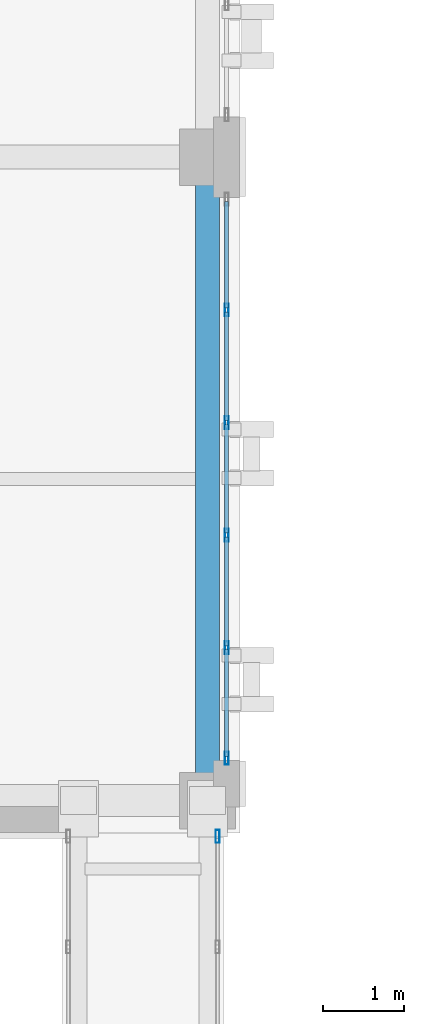
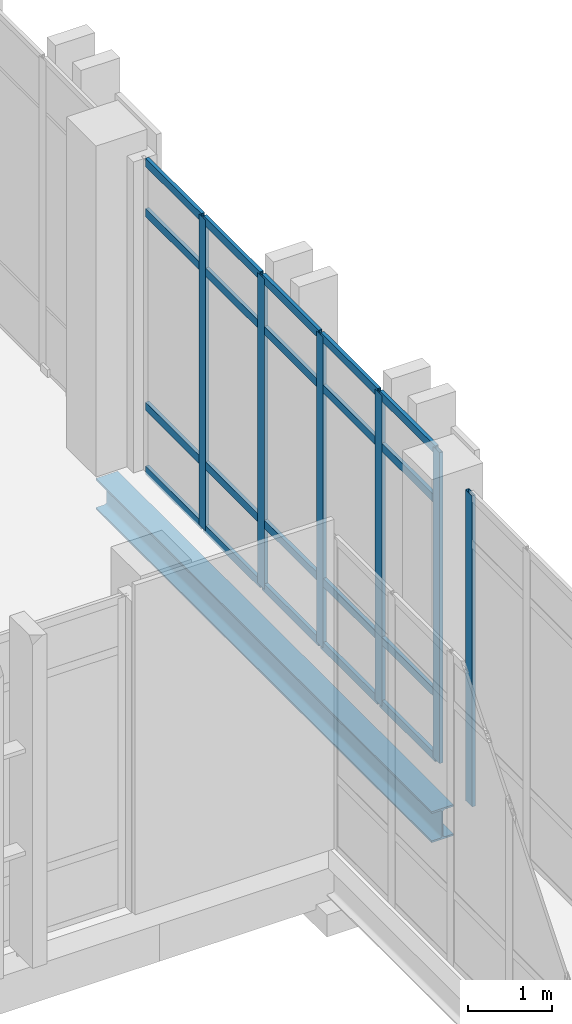
# One storey, part 22 of 189: 26 members, 1 beam, 2 elements without a shape of their own.
"""IFC4 building model written with IfcOpenShell, lengths in metres."""

from ifc_helpers import new_model, si_unit, direction, frame, origin, origin_2d, place, context, subcontext, project, spatial, hollow_rectangle, i_section, extrude, material, layer, layer_set, material_profile, profile_set, type_object, element, aggregate, save


model = new_model("IFC4")

# Units and contexts
model_context = context("Model", 3, precision=1e-05, world=origin(), true_north=direction((0.0, 1.0)))
body_context = subcontext(model_context, "Body", "Model", "MODEL_VIEW")
ifc_project = project(units=[si_unit("LENGTHUNIT", "METRE"), si_unit("AREAUNIT", "SQUARE_METRE"), si_unit("VOLUMEUNIT", "CUBIC_METRE"), si_unit("PLANEANGLEUNIT", "RADIAN"), si_unit("MASSUNIT", "GRAM", prefix="KILO")], contexts=[model_context])

# Site, building, storey
site_placement = place(None, origin())
site = spatial("IfcSite", under=ifc_project, at=site_placement, CompositionType="ELEMENT")
building_placement = place(site_placement, origin())
building = spatial("IfcBuilding", under=site, at=building_placement, Name="Qalavern Law Courts", CompositionType="ELEMENT")
storey_placement = place(building_placement, frame((0.0, 0.0, 5.39990234375)))
storey = spatial("IfcBuildingStorey", under=building, at=storey_placement, Name="L01", CompositionType="ELEMENT", Elevation=5.39990234375)

# Curtain wall, members
ifc_material_1 = material(Name="Anodised aluminium and insulated glazing", Category="aluminium")
ifc_layer_1 = layer(ifc_material_1, 0.172119140625)
ifc_layer_set_1 = layer_set([ifc_layer_1], Name="Anodised aluminium and insulated glazing")
curtain_wall_type_1 = type_object("IfcCurtainWallType", Name="ENV-CW-COURT", PredefinedType="USERDEFINED", material=ifc_layer_set_1)
curtain_wall_1_placement = place(storey_placement, origin())
curtain_wall_1 = element("IfcCurtainWall", 1, at=curtain_wall_1_placement, inside=storey, type_object=curtain_wall_type_1, Name="V3 unitised curtain wall L01 east 1", ObjectType="UNITISED CURTAIN WALL", PredefinedType="USERDEFINED")
ifc_material_2 = material(Name="Anodised aluminium", Category="aluminium")
ifc_material_profile_1 = material_profile(ifc_material_2, hollow_rectangle(XDim=0.048095703125, YDim=0.159912109375, WallThickness=0.00390625, at=origin_2d()), Name="ALU MULLION 48x160")
ifc_profile_set_1 = profile_set([ifc_material_profile_1], Name="Anodised aluminium")
member_type_1 = type_object("IfcMemberType", Name="ENV-CWM-48x160", PredefinedType="MULLION", material=ifc_profile_set_1)
member_1_placement = place(storey_placement, frame((18.637451171875, 41.944091796875, 0.0), z_axis=(0.0, 0.0, 1.0), x_axis=(-1.0, 0.0, 0.0)))
member_1 = element("IfcMember", 2, at=member_1_placement, type_object=member_type_1, Name="CW-03 mullion 1", PredefinedType="MULLION", context=body_context, shape_type="SweptSolid", body=[
    extrude(hollow_rectangle(XDim=0.048095703125, YDim=0.159912109375, WallThickness=0.00390625, at=origin_2d()), origin(), (0.0, 0.0, 1.0), 4.510009765625),
])
member_2_placement = place(storey_placement, frame((18.637451171875, 43.31591796875, 0.0), z_axis=(0.0, 0.0, 1.0), x_axis=(-1.0, 0.0, 0.0)))
member_2 = element("IfcMember", 3, at=member_2_placement, type_object=member_type_1, Name="CW-03 mullion 2", PredefinedType="MULLION", context=body_context, shape_type="SweptSolid", body=[
    extrude(hollow_rectangle(XDim=0.048095703125, YDim=0.159912109375, WallThickness=0.00390625, at=origin_2d()), origin(), (0.0, 0.0, 1.0), 4.510009765625),
])
member_3_placement = place(storey_placement, frame((18.637451171875, 44.7119140625, 0.0), z_axis=(0.0, 0.0, 1.0), x_axis=(-1.0, 0.0, 0.0)))
member_3 = element("IfcMember", 4, at=member_3_placement, type_object=member_type_1, Name="CW-03 mullion 3", PredefinedType="MULLION", context=body_context, shape_type="SweptSolid", body=[
    extrude(hollow_rectangle(XDim=0.048095703125, YDim=0.159912109375, WallThickness=0.00390625, at=origin_2d()), origin(), (0.0, 0.0, 1.0), 4.510009765625),
])
member_4_placement = place(storey_placement, frame((18.637451171875, 46.10791015625, 0.0), z_axis=(0.0, 0.0, 1.0), x_axis=(-1.0, 0.0, 0.0)))
member_4 = element("IfcMember", 5, at=member_4_placement, type_object=member_type_1, Name="CW-03 mullion 4", PredefinedType="MULLION", context=body_context, shape_type="SweptSolid", body=[
    extrude(hollow_rectangle(XDim=0.048095703125, YDim=0.159912109375, WallThickness=0.00390625, at=origin_2d()), origin(), (0.0, 0.0, 1.0), 4.510009765625),
])
member_5_placement = place(storey_placement, frame((18.637451171875, 47.50390625, 0.0), z_axis=(0.0, 0.0, 1.0), x_axis=(-1.0, 0.0, 0.0)))
member_5 = element("IfcMember", 6, at=member_5_placement, type_object=member_type_1, Name="CW-03 mullion 5", PredefinedType="MULLION", context=body_context, shape_type="SweptSolid", body=[
    extrude(hollow_rectangle(XDim=0.048095703125, YDim=0.159912109375, WallThickness=0.00390625, at=origin_2d()), origin(), (0.0, 0.0, 1.0), 4.510009765625),
])

# Curtain wall, member
ifc_layer_2 = layer(ifc_material_1, 0.14990234375)
ifc_layer_set_2 = layer_set([ifc_layer_2], Name="Anodised aluminium and insulated glazing")
curtain_wall_type_2 = type_object("IfcCurtainWallType", Name="ENV-CW-BRG", PredefinedType="USERDEFINED", material=ifc_layer_set_2)
curtain_wall_2_placement = place(storey_placement, origin())
curtain_wall_2 = element("IfcCurtainWall", 7, at=curtain_wall_2_placement, inside=storey, type_object=curtain_wall_type_2, Name="Bridge BR-V1-V3 glazed curtain wall L01-2", ObjectType="UNITISED CURTAIN WALL", PredefinedType="USERDEFINED")
member_6_placement = place(storey_placement, frame((18.52490234375, 40.97607421875, 0.0), z_axis=(0.0, 0.0, 1.0), x_axis=(-1.0, 0.0, 0.0)))
member_6 = element("IfcMember", 8, at=member_6_placement, type_object=member_type_1, Name="CW-06 mullion 6", PredefinedType="MULLION", context=body_context, shape_type="SweptSolid", body=[
    extrude(hollow_rectangle(XDim=0.048095703125, YDim=0.159912109375, WallThickness=0.00390625, at=origin_2d()), origin(), (0.0, 0.0, 1.0), 4.510009765625),
])
aggregate(curtain_wall_2, [member_6])

# Member
ifc_material_profile_2 = material_profile(ifc_material_2, hollow_rectangle(XDim=0.048095703125, YDim=0.1201171875, WallThickness=0.00390625, at=origin_2d()), Name="ALU TRANSOM 48x120")
ifc_profile_set_2 = profile_set([ifc_material_profile_2], Name="Anodised aluminium")
member_type_2 = type_object("IfcMemberType", Name="ENV-CWT-48x120", PredefinedType="USERDEFINED", material=ifc_profile_set_2)
member_7_placement = place(storey_placement, frame((18.637451171875, 41.968017578125, 0.024169921875), z_axis=(0.0, 1.0, 0.0), x_axis=(-1.0, 0.0, 0.0)))
member_7 = element("IfcMember", 9, at=member_7_placement, type_object=member_type_2, Name="CW-03 transom 1.1", ObjectType="TRANSOM", PredefinedType="USERDEFINED", context=body_context, shape_type="SweptSolid", body=[
    extrude(hollow_rectangle(XDim=0.048095703125, YDim=0.1201171875, WallThickness=0.00390625, at=origin_2d()), origin(), (0.0, 0.0, 1.0), 1.323974609375),
])

member_8_placement = place(storey_placement, frame((18.637451171875, 41.968017578125, 0.9501953125), z_axis=(0.0, 1.0, 0.0), x_axis=(-1.0, 0.0, 0.0)))
member_8 = element("IfcMember", 10, at=member_8_placement, type_object=member_type_2, Name="CW-03 transom 1.2", ObjectType="TRANSOM", PredefinedType="USERDEFINED", context=body_context, shape_type="SweptSolid", body=[
    extrude(hollow_rectangle(XDim=0.048095703125, YDim=0.1201171875, WallThickness=0.00390625, at=origin_2d()), origin(), (0.0, 0.0, 1.0), 1.323974609375),
])

member_9_placement = place(storey_placement, frame((18.637451171875, 41.968017578125, 3.760009765625), z_axis=(0.0, 1.0, 0.0), x_axis=(-1.0, 0.0, 0.0)))
member_9 = element("IfcMember", 11, at=member_9_placement, type_object=member_type_2, Name="CW-03 transom 1.3", ObjectType="TRANSOM", PredefinedType="USERDEFINED", context=body_context, shape_type="SweptSolid", body=[
    extrude(hollow_rectangle(XDim=0.048095703125, YDim=0.1201171875, WallThickness=0.00390625, at=origin_2d()), origin(), (0.0, 0.0, 1.0), 1.323974609375),
])

member_10_placement = place(storey_placement, frame((18.637451171875, 41.968017578125, 4.486083984375), z_axis=(0.0, 1.0, 0.0), x_axis=(-1.0, 0.0, 0.0)))
member_10 = element("IfcMember", 12, at=member_10_placement, type_object=member_type_2, Name="CW-03 transom 1.4", ObjectType="TRANSOM", PredefinedType="USERDEFINED", context=body_context, shape_type="SweptSolid", body=[
    extrude(hollow_rectangle(XDim=0.048095703125, YDim=0.1201171875, WallThickness=0.00390625, at=origin_2d()), origin(), (0.0, 0.0, 1.0), 1.323974609375),
])

member_11_placement = place(storey_placement, frame((18.637451171875, 43.340087890625, 0.024169921875), z_axis=(0.0, 1.0, 0.0), x_axis=(-1.0, 0.0, 0.0)))
member_11 = element("IfcMember", 13, at=member_11_placement, type_object=member_type_2, Name="CW-03 transom 2.1", ObjectType="TRANSOM", PredefinedType="USERDEFINED", context=body_context, shape_type="SweptSolid", body=[
    extrude(hollow_rectangle(XDim=0.048095703125, YDim=0.1201171875, WallThickness=0.00390625, at=origin_2d()), origin(), (0.0, 0.0, 1.0), 1.347900390625),
])

member_12_placement = place(storey_placement, frame((18.637451171875, 43.340087890625, 0.9501953125), z_axis=(0.0, 1.0, 0.0), x_axis=(-1.0, 0.0, 0.0)))
member_12 = element("IfcMember", 14, at=member_12_placement, type_object=member_type_2, Name="CW-03 transom 2.2", ObjectType="TRANSOM", PredefinedType="USERDEFINED", context=body_context, shape_type="SweptSolid", body=[
    extrude(hollow_rectangle(XDim=0.048095703125, YDim=0.1201171875, WallThickness=0.00390625, at=origin_2d()), origin(), (0.0, 0.0, 1.0), 1.347900390625),
])

member_13_placement = place(storey_placement, frame((18.637451171875, 43.340087890625, 3.760009765625), z_axis=(0.0, 1.0, 0.0), x_axis=(-1.0, 0.0, 0.0)))
member_13 = element("IfcMember", 15, at=member_13_placement, type_object=member_type_2, Name="CW-03 transom 2.3", ObjectType="TRANSOM", PredefinedType="USERDEFINED", context=body_context, shape_type="SweptSolid", body=[
    extrude(hollow_rectangle(XDim=0.048095703125, YDim=0.1201171875, WallThickness=0.00390625, at=origin_2d()), origin(), (0.0, 0.0, 1.0), 1.347900390625),
])

member_14_placement = place(storey_placement, frame((18.637451171875, 43.340087890625, 4.486083984375), z_axis=(0.0, 1.0, 0.0), x_axis=(-1.0, 0.0, 0.0)))
member_14 = element("IfcMember", 16, at=member_14_placement, type_object=member_type_2, Name="CW-03 transom 2.4", ObjectType="TRANSOM", PredefinedType="USERDEFINED", context=body_context, shape_type="SweptSolid", body=[
    extrude(hollow_rectangle(XDim=0.048095703125, YDim=0.1201171875, WallThickness=0.00390625, at=origin_2d()), origin(), (0.0, 0.0, 1.0), 1.347900390625),
])

member_15_placement = place(storey_placement, frame((18.637451171875, 44.736083984375, 0.024169921875), z_axis=(0.0, 1.0, 0.0), x_axis=(-1.0, 0.0, 0.0)))
member_15 = element("IfcMember", 17, at=member_15_placement, type_object=member_type_2, Name="CW-03 transom 3.1", ObjectType="TRANSOM", PredefinedType="USERDEFINED", context=body_context, shape_type="SweptSolid", body=[
    extrude(hollow_rectangle(XDim=0.048095703125, YDim=0.1201171875, WallThickness=0.00390625, at=origin_2d()), origin(), (0.0, 0.0, 1.0), 1.347900390625),
])

member_16_placement = place(storey_placement, frame((18.637451171875, 44.736083984375, 0.9501953125), z_axis=(0.0, 1.0, 0.0), x_axis=(-1.0, 0.0, 0.0)))
member_16 = element("IfcMember", 18, at=member_16_placement, type_object=member_type_2, Name="CW-03 transom 3.2", ObjectType="TRANSOM", PredefinedType="USERDEFINED", context=body_context, shape_type="SweptSolid", body=[
    extrude(hollow_rectangle(XDim=0.048095703125, YDim=0.1201171875, WallThickness=0.00390625, at=origin_2d()), origin(), (0.0, 0.0, 1.0), 1.347900390625),
])

member_17_placement = place(storey_placement, frame((18.637451171875, 44.736083984375, 3.760009765625), z_axis=(0.0, 1.0, 0.0), x_axis=(-1.0, 0.0, 0.0)))
member_17 = element("IfcMember", 19, at=member_17_placement, type_object=member_type_2, Name="CW-03 transom 3.3", ObjectType="TRANSOM", PredefinedType="USERDEFINED", context=body_context, shape_type="SweptSolid", body=[
    extrude(hollow_rectangle(XDim=0.048095703125, YDim=0.1201171875, WallThickness=0.00390625, at=origin_2d()), origin(), (0.0, 0.0, 1.0), 1.347900390625),
])

member_18_placement = place(storey_placement, frame((18.637451171875, 44.736083984375, 4.486083984375), z_axis=(0.0, 1.0, 0.0), x_axis=(-1.0, 0.0, 0.0)))
member_18 = element("IfcMember", 20, at=member_18_placement, type_object=member_type_2, Name="CW-03 transom 3.4", ObjectType="TRANSOM", PredefinedType="USERDEFINED", context=body_context, shape_type="SweptSolid", body=[
    extrude(hollow_rectangle(XDim=0.048095703125, YDim=0.1201171875, WallThickness=0.00390625, at=origin_2d()), origin(), (0.0, 0.0, 1.0), 1.347900390625),
])

member_19_placement = place(storey_placement, frame((18.637451171875, 46.132080078125, 0.024169921875), z_axis=(0.0, 1.0, 0.0), x_axis=(-1.0, 0.0, 0.0)))
member_19 = element("IfcMember", 21, at=member_19_placement, type_object=member_type_2, Name="CW-03 transom 4.1", ObjectType="TRANSOM", PredefinedType="USERDEFINED", context=body_context, shape_type="SweptSolid", body=[
    extrude(hollow_rectangle(XDim=0.048095703125, YDim=0.1201171875, WallThickness=0.00390625, at=origin_2d()), origin(), (0.0, 0.0, 1.0), 1.347900390625),
])

member_20_placement = place(storey_placement, frame((18.637451171875, 46.132080078125, 0.9501953125), z_axis=(0.0, 1.0, 0.0), x_axis=(-1.0, 0.0, 0.0)))
member_20 = element("IfcMember", 22, at=member_20_placement, type_object=member_type_2, Name="CW-03 transom 4.2", ObjectType="TRANSOM", PredefinedType="USERDEFINED", context=body_context, shape_type="SweptSolid", body=[
    extrude(hollow_rectangle(XDim=0.048095703125, YDim=0.1201171875, WallThickness=0.00390625, at=origin_2d()), origin(), (0.0, 0.0, 1.0), 1.347900390625),
])

member_21_placement = place(storey_placement, frame((18.637451171875, 46.132080078125, 3.760009765625), z_axis=(0.0, 1.0, 0.0), x_axis=(-1.0, 0.0, 0.0)))
member_21 = element("IfcMember", 23, at=member_21_placement, type_object=member_type_2, Name="CW-03 transom 4.3", ObjectType="TRANSOM", PredefinedType="USERDEFINED", context=body_context, shape_type="SweptSolid", body=[
    extrude(hollow_rectangle(XDim=0.048095703125, YDim=0.1201171875, WallThickness=0.00390625, at=origin_2d()), origin(), (0.0, 0.0, 1.0), 1.347900390625),
])

member_22_placement = place(storey_placement, frame((18.637451171875, 46.132080078125, 4.486083984375), z_axis=(0.0, 1.0, 0.0), x_axis=(-1.0, 0.0, 0.0)))
member_22 = element("IfcMember", 24, at=member_22_placement, type_object=member_type_2, Name="CW-03 transom 4.4", ObjectType="TRANSOM", PredefinedType="USERDEFINED", context=body_context, shape_type="SweptSolid", body=[
    extrude(hollow_rectangle(XDim=0.048095703125, YDim=0.1201171875, WallThickness=0.00390625, at=origin_2d()), origin(), (0.0, 0.0, 1.0), 1.347900390625),
])

member_23_placement = place(storey_placement, frame((18.637451171875, 47.528076171875, 0.024169921875), z_axis=(0.0, 1.0, 0.0), x_axis=(-1.0, 0.0, 0.0)))
member_23 = element("IfcMember", 25, at=member_23_placement, type_object=member_type_2, Name="CW-03 transom 5.1", ObjectType="TRANSOM", PredefinedType="USERDEFINED", context=body_context, shape_type="SweptSolid", body=[
    extrude(hollow_rectangle(XDim=0.048095703125, YDim=0.1201171875, WallThickness=0.00390625, at=origin_2d()), origin(), (0.0, 0.0, 1.0), 1.323974609375),
])

member_24_placement = place(storey_placement, frame((18.637451171875, 47.528076171875, 0.9501953125), z_axis=(0.0, 1.0, 0.0), x_axis=(-1.0, 0.0, 0.0)))
member_24 = element("IfcMember", 26, at=member_24_placement, type_object=member_type_2, Name="CW-03 transom 5.2", ObjectType="TRANSOM", PredefinedType="USERDEFINED", context=body_context, shape_type="SweptSolid", body=[
    extrude(hollow_rectangle(XDim=0.048095703125, YDim=0.1201171875, WallThickness=0.00390625, at=origin_2d()), origin(), (0.0, 0.0, 1.0), 1.323974609375),
])

member_25_placement = place(storey_placement, frame((18.637451171875, 47.528076171875, 3.760009765625), z_axis=(0.0, 1.0, 0.0), x_axis=(-1.0, 0.0, 0.0)))
member_25 = element("IfcMember", 27, at=member_25_placement, type_object=member_type_2, Name="CW-03 transom 5.3", ObjectType="TRANSOM", PredefinedType="USERDEFINED", context=body_context, shape_type="SweptSolid", body=[
    extrude(hollow_rectangle(XDim=0.048095703125, YDim=0.1201171875, WallThickness=0.00390625, at=origin_2d()), origin(), (0.0, 0.0, 1.0), 1.323974609375),
])

member_26_placement = place(storey_placement, frame((18.637451171875, 47.528076171875, 4.486083984375), z_axis=(0.0, 1.0, 0.0), x_axis=(-1.0, 0.0, 0.0)))
member_26 = element("IfcMember", 28, at=member_26_placement, type_object=member_type_2, Name="CW-03 transom 5.4", ObjectType="TRANSOM", PredefinedType="USERDEFINED", context=body_context, shape_type="SweptSolid", body=[
    extrude(hollow_rectangle(XDim=0.048095703125, YDim=0.1201171875, WallThickness=0.00390625, at=origin_2d()), origin(), (0.0, 0.0, 1.0), 1.323974609375),
])

aggregate(curtain_wall_1, [member_1, member_2, member_3, member_4, member_5, member_7, member_8, member_9, member_10, member_11, member_12, member_13, member_14, member_15, member_16, member_17, member_18, member_19, member_20, member_21, member_22, member_23, member_24, member_25, member_26])

# Beam
ifc_material_3 = material(Name="Steel S355", Category="steel")
ifc_material_profile_3 = material_profile(ifc_material_3, i_section(OverallWidth=0.300048828125, OverallDepth=0.449951171875, WebThickness=0.013916015625, FlangeThickness=0.02587890625, FilletRadius=0.027099609375, at=origin_2d()), Name="HEB 450")
ifc_profile_set_3 = profile_set([ifc_material_profile_3], Name="Steel S355")
beam_type = type_object("IfcBeamType", Name="STR-SP-HEB450", PredefinedType="SPANDREL", material=ifc_profile_set_3)
beam_placement = place(storey_placement, frame((18.39990234375, 41.419921875, -0.52490234375), z_axis=(0.0, 1.0, 0.0), x_axis=(-1.0, 0.0, 0.0)))
element("IfcBeam", 29, at=beam_placement, inside=storey, type_object=beam_type, Name="V3 Y-beam 3-1 L01", PredefinedType="SPANDREL", context=body_context, shape_type="SweptSolid", body=[
    extrude(i_section(OverallWidth=0.300048828125, OverallDepth=0.449951171875, WebThickness=0.013916015625, FlangeThickness=0.02587890625, FilletRadius=0.027099609375, at=origin_2d()), origin(), (0.0, 0.0, 1.0), 7.97998046875),
])

save(model, "model.ifc")
